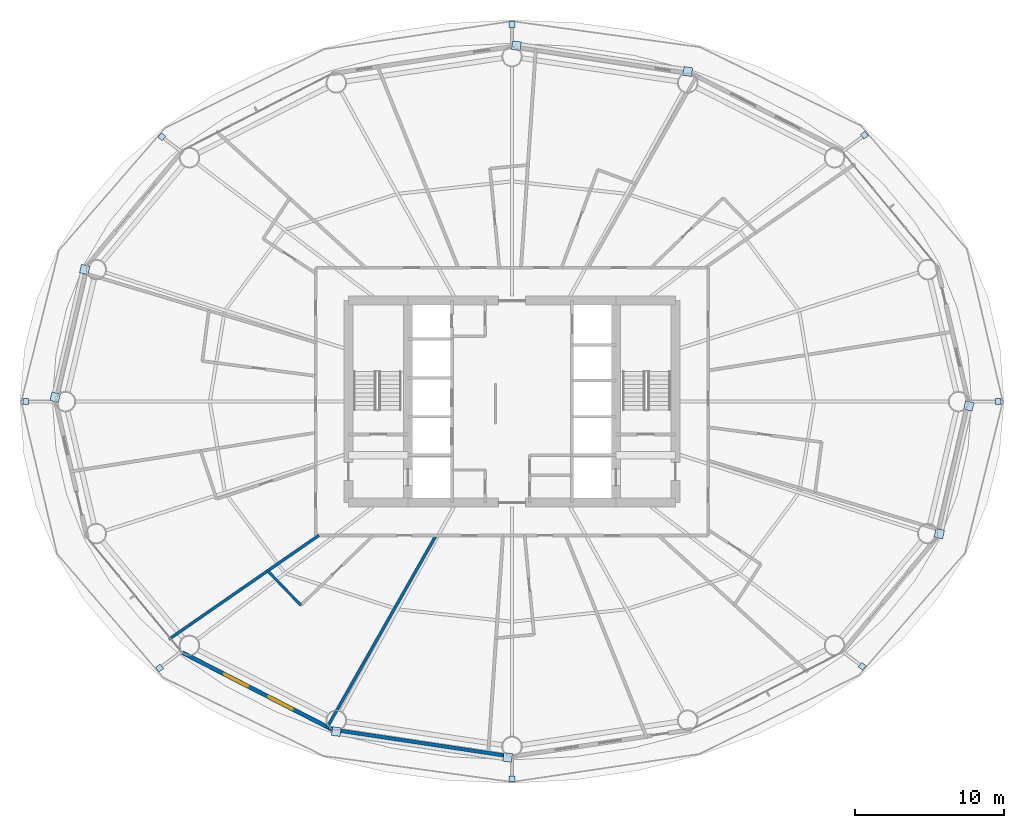
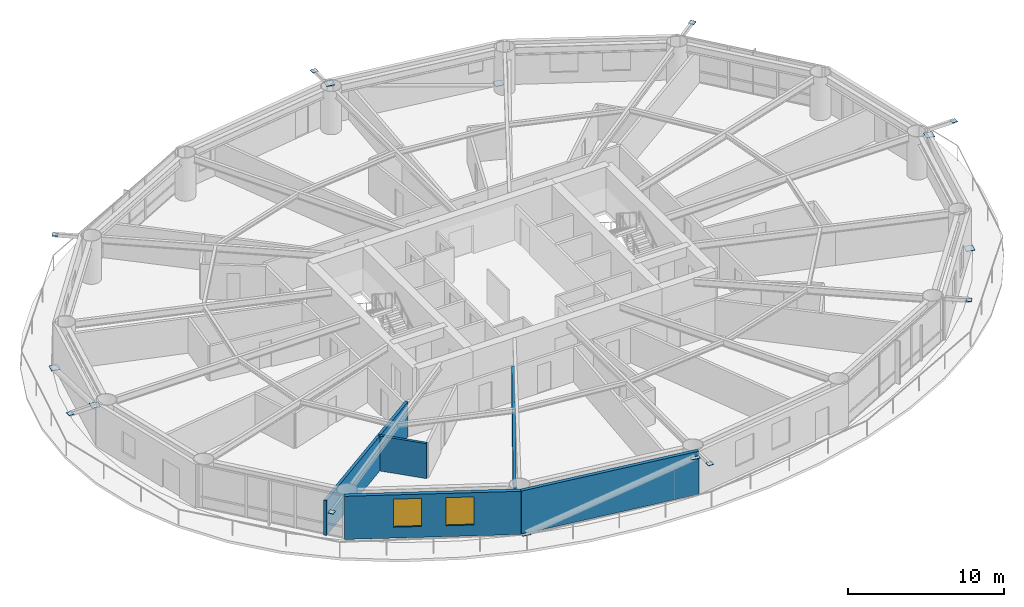
# One storey, part 19 of 26: 16 plates, 5 walls, 2 windows, 2 openings.
"""IFC4 building model written with IfcOpenShell, lengths in metres."""

from ifc_helpers import new_model, si_unit, direction, frame, frame_2d, origin, origin_2d, place, context, subcontext, project, spatial, rectangle, extrude, material, layer, layer_set, type_object, element, fill, save


model = new_model("IFC4")

# Units and contexts
model_context = context("Model", 3, precision=1e-05, world=origin(), true_north=direction((0.0, 1.0)))
body_context = subcontext(model_context, "Body", "Model", "MODEL_VIEW")
ifc_project = project(units=[si_unit("LENGTHUNIT", "METRE"), si_unit("AREAUNIT", "SQUARE_METRE"), si_unit("VOLUMEUNIT", "CUBIC_METRE"), si_unit("PLANEANGLEUNIT", "RADIAN"), si_unit("MASSUNIT", "GRAM", prefix="KILO")], contexts=[model_context])

# Site, building, storey
site_placement = place(None, origin())
site = spatial("IfcSite", under=ifc_project, at=site_placement, CompositionType="ELEMENT")
building_placement = place(site_placement, origin())
building = spatial("IfcBuilding", under=site, at=building_placement, Name="Sarneth Arch Tower", CompositionType="ELEMENT")
storey_placement = place(building_placement, frame((0.0, 0.0, 60.60009765625)))
storey = spatial("IfcBuildingStorey", under=building, at=storey_placement, Name="L14", CompositionType="ELEMENT", Elevation=60.60009765625)

# Plates
ifc_material_1 = material(Name="Steel S355", Category="steel")
ifc_layer_1 = layer(ifc_material_1, 0.035888671875)
ifc_layer_set_1 = layer_set([ifc_layer_1], Name="Steel S355")
plate_type = type_object("IfcPlateType", Name="PLT-GUSSET-30", PredefinedType="SHEET", material=ifc_layer_set_1)
for number, where, z_axis, x_axis, name in (
    (1, (80.71826171875, 42.0, 3.2021484375), (0.0, 0.0, 1.0), (1.0, 0.0, 0.0), "Steel end cap plate GP-1"),
    (2, (71.7060546875, 59.924072265625, 3.2021484375), (0.0, 0.0, 1.0), (0.797689196331, 0.603068773902, 0.0), "Steel end cap plate GP-1"),
):
    element("IfcPlate", number, at=place(storey_placement, frame(where, z_axis=z_axis, x_axis=x_axis)), inside=storey, type_object=plate_type, Name=name, PredefinedType="SHEET", context=body_context, shape_type="SweptSolid", body=[
        extrude(rectangle(XDim=0.3798828125, YDim=0.3798828125, at=origin_2d()), origin(), (0.0, 0.0, 1.0), 0.035888671875),
    ])
for number, where, z_axis, x_axis, name in (
    (3, (59.819580078125, 64.19921875, 0.001953125), (0.0, 0.0, 1.0), (-0.98883454203, 0.149017611339, 0.0), "Steel end cap plate GP-1"),
    (4, (48.296630859375, 65.935302734375, 2.98876953125), (0.0, 0.0, 1.0), (-0.98883454203, 0.149017611339, 0.0), "Steel end cap plate GP-1"),
):
    element("IfcPlate", number, at=place(storey_placement, frame(where, z_axis=z_axis, x_axis=x_axis)), inside=storey, type_object=plate_type, Name=name, PredefinedType="SHEET", context=body_context, shape_type="SweptSolid", body=[
        extrude(rectangle(XDim=0.587890625, YDim=0.587890625, at=origin_2d()), origin(), (0.0, 0.0, 1.0), 0.035888671875),
    ])
for number, where, z_axis, x_axis, name in (
    (5, (48.0, 67.36669921875, 3.2021484375), (0.0, 0.0, 1.0), (0.0, 1.0, 0.0), "Steel end cap plate GP-1"),
    (6, (24.444091796875, 59.810791015625, 3.2021484375), (0.0, 0.0, 1.0), (-0.797689196331, 0.603068773902, 0.0), "Steel end cap plate GP-1"),
):
    element("IfcPlate", number, at=place(storey_placement, frame(where, z_axis=z_axis, x_axis=x_axis)), inside=storey, type_object=plate_type, Name=name, PredefinedType="SHEET", context=body_context, shape_type="SweptSolid", body=[
        extrude(rectangle(XDim=0.3798828125, YDim=0.3798828125, at=origin_2d()), origin(), (0.0, 0.0, 1.0), 0.035888671875),
    ])
for number, where, z_axis, x_axis, name in (
    (7, (19.260986328125, 50.884521484375, 0.001953125), (0.0, 0.0, 1.0), (-0.225291159947, -0.974291482694, 0.0), "Steel end cap plate GP-1"),
    (8, (17.274658203125, 42.292236328125, 2.98876953125), (0.0, 0.0, 1.0), (-0.225291159947, -0.974291482694, 0.0), "Steel end cap plate GP-1"),
):
    element("IfcPlate", number, at=place(storey_placement, frame(where, z_axis=z_axis, x_axis=x_axis)), inside=storey, type_object=plate_type, Name=name, PredefinedType="SHEET", context=body_context, shape_type="SweptSolid", body=[
        extrude(rectangle(XDim=0.587890625, YDim=0.587890625, at=origin_2d()), origin(), (0.0, 0.0, 1.0), 0.035888671875),
    ])
for number, where, z_axis, x_axis, name in (
    (9, (15.28173828125, 42.0, 3.2021484375), (0.0, 0.0, 1.0), (-1.0, 0.0, 0.0), "Steel end cap plate GP-1"),
    (10, (24.2939453125, 24.075927734375, 3.2021484375), (0.0, 0.0, 1.0), (-0.797689196331, -0.603068773902, 0.0), "Steel end cap plate GP-1"),
):
    element("IfcPlate", number, at=place(storey_placement, frame(where, z_axis=z_axis, x_axis=x_axis)), inside=storey, type_object=plate_type, Name=name, PredefinedType="SHEET", context=body_context, shape_type="SweptSolid", body=[
        extrude(rectangle(XDim=0.3798828125, YDim=0.3798828125, at=origin_2d()), origin(), (0.0, 0.0, 1.0), 0.035888671875),
    ])
for number, where, z_axis, x_axis, name in (
    (11, (36.180419921875, 19.80078125, 0.001953125), (0.0, 0.0, 1.0), (0.98883454203, -0.149017611339, 0.0), "Steel end cap plate GP-1"),
    (12, (47.703369140625, 18.064697265625, 2.98876953125), (0.0, 0.0, 1.0), (0.98883454203, -0.149017611339, 0.0), "Steel end cap plate GP-1"),
):
    element("IfcPlate", number, at=place(storey_placement, frame(where, z_axis=z_axis, x_axis=x_axis)), inside=storey, type_object=plate_type, Name=name, PredefinedType="SHEET", context=body_context, shape_type="SweptSolid", body=[
        extrude(rectangle(XDim=0.587890625, YDim=0.587890625, at=origin_2d()), origin(), (0.0, 0.0, 1.0), 0.035888671875),
    ])
for number, where, z_axis, x_axis, name in (
    (13, (48.0, 16.63330078125, 3.2021484375), (0.0, 0.0, 1.0), (0.0, -1.0, 0.0), "Steel end cap plate GP-1"),
    (14, (71.555908203125, 24.189208984375, 3.2021484375), (0.0, 0.0, 1.0), (0.797689196331, -0.603068773902, 0.0), "Steel end cap plate GP-1"),
):
    element("IfcPlate", number, at=place(storey_placement, frame(where, z_axis=z_axis, x_axis=x_axis)), inside=storey, type_object=plate_type, Name=name, PredefinedType="SHEET", context=body_context, shape_type="SweptSolid", body=[
        extrude(rectangle(XDim=0.3798828125, YDim=0.3798828125, at=origin_2d()), origin(), (0.0, 0.0, 1.0), 0.035888671875),
    ])
for number, where, z_axis, x_axis, name in (
    (15, (76.739013671875, 33.115478515625, 0.001953125), (0.0, 0.0, 1.0), (0.225291159947, 0.974291482694, 0.0), "Steel end cap plate GP-1"),
    (16, (78.725341796875, 41.707763671875, 2.98876953125), (0.0, 0.0, 1.0), (0.225291159947, 0.974291482694, 0.0), "Steel end cap plate GP-1"),
):
    element("IfcPlate", number, at=place(storey_placement, frame(where, z_axis=z_axis, x_axis=x_axis)), inside=storey, type_object=plate_type, Name=name, PredefinedType="SHEET", context=body_context, shape_type="SweptSolid", body=[
        extrude(rectangle(XDim=0.587890625, YDim=0.587890625, at=origin_2d()), origin(), (0.0, 0.0, 1.0), 0.035888671875),
    ])

# Wall
ifc_material_2 = material(Name="Extruded terracotta rainscreen on Concrete C40/50 backing", Category="masonry")
ifc_layer_2 = layer(ifc_material_2, 0.25)
ifc_layer_set_2 = layer_set([ifc_layer_2], Name="Extruded terracotta rainscreen on Concrete C40/50 backing")
wall_type_1 = type_object("IfcWallType", Name="WALL-EXT-SPAND-250", PredefinedType="SOLIDWALL", material=ifc_layer_set_2)
wall_1_placement = place(storey_placement, frame((35.922119140625, 19.937744140625, 0.0), z_axis=(0.0, 0.0, 1.0), x_axis=(0.988864835849, -0.148816452121, 0.0)))
element("IfcWall", 17, at=wall_1_placement, inside=storey, type_object=wall_type_1, Name="L14 Terracotta perimeter wall 12", PredefinedType="SOLIDWALL", context=body_context, shape_type="SweptSolid", body=[
    extrude(rectangle(XDim=12.2138671875, YDim=0.25, at=frame_2d((6.10693359375, 0.0))), origin(), (0.0, 0.0, 1.0), 3.3798828125),
])

# Wall, openings, windows
ifc_material_3 = material(Name="Extruded terracotta rainscreen on Concrete C40/50 backing", Category="masonry")
ifc_layer_3 = layer(ifc_material_3, 0.280029296875)
ifc_layer_set_3 = layer_set([ifc_layer_3], Name="Extruded terracotta rainscreen on Concrete C40/50 backing")
wall_type_2 = type_object("IfcWallType", Name="WALL-EXT-TERRA-280", PredefinedType="SOLIDWALL", material=ifc_layer_set_3)
wall_2_placement = place(storey_placement, frame((25.825927734375, 25.1142578125, 0.0), z_axis=(0.0, 0.0, 1.0), x_axis=(0.889853976658, -0.456245438581, 0.0)))
wall_2 = element("IfcWall", 18, at=wall_2_placement, inside=storey, type_object=wall_type_2, Name="L14 Terracotta perimeter wall 11", PredefinedType="SOLIDWALL", context=body_context, shape_type="SweptSolid", body=[
    extrude(rectangle(XDim=11.345947265625, YDim=0.280029296875, at=frame_2d((5.6728515625, 0.0))), origin(), (0.0, 0.0, 1.0), 3.3798828125),
])
opening_1_placement = place(wall_2_placement, frame((3.167236328125, 0.0, 0.85009765625)))
opening_1 = element("IfcOpeningElement", 19, at=opening_1_placement, cuts=wall_2, Name="Opening W-04", PredefinedType="OPENING", context=body_context, shape_type="SweptSolid", body=[
    extrude(rectangle(XDim=1.800048828125, YDim=2.199951171875, at=frame_2d((0.89990234375, 1.10009765625))), frame((0.0, 0.14990234375, 0.0), z_axis=(0.0, -1.0, 0.0), x_axis=(1.0, 0.0, 0.0)), (0.0, 0.0, 1.0), 0.300048828125),
])
opening_2_placement = place(wall_2_placement, frame((6.529052734375, 0.0, 0.85009765625)))
opening_2 = element("IfcOpeningElement", 20, at=opening_2_placement, cuts=wall_2, Name="Opening W-04", PredefinedType="OPENING", context=body_context, shape_type="SweptSolid", body=[
    extrude(rectangle(XDim=1.800048828125, YDim=2.199951171875, at=frame_2d((0.89990234375, 1.10009765625))), frame((0.0, 0.14990234375, 0.0), z_axis=(0.0, -1.0, 0.0), x_axis=(1.0, 0.0, 0.0)), (0.0, 0.0, 1.0), 0.300048828125),
])
ifc_material_4 = material(Name="Thermally broken Aluminium 6063-T6 and low-e laminated IGU", Category="aluminium")
window_type = type_object("IfcWindowType", Name="WIN-TWR-1800x2200", PartitioningType="DOUBLE_PANEL_VERTICAL", PredefinedType="WINDOW", material=ifc_material_4)
window_1_placement = place(opening_1_placement, origin())
window_1 = element("IfcWindow", 21, at=window_1_placement, inside=storey, type_object=window_type, Name="L14 Exterior window 11A", OverallHeight=2.199951171875, OverallWidth=1.800048828125, PartitioningType="SINGLE_PANEL", PredefinedType="WINDOW", context=body_context, shape_type="SweptSolid", body=[
    extrude(rectangle(XDim=1.800048828125, YDim=2.199951171875, at=frame_2d((0.89990234375, 1.10009765625))), frame((0.0, 0.030029296875, 0.0), z_axis=(0.0, -1.0, 0.0), x_axis=(1.0, 0.0, 0.0)), (0.0, 0.0, 1.0), 0.06005859375),
])
fill(opening_1, window_1)
window_2_placement = place(opening_2_placement, origin())
window_2 = element("IfcWindow", 22, at=window_2_placement, inside=storey, type_object=window_type, Name="L14 Exterior window 11B", OverallHeight=2.199951171875, OverallWidth=1.800048828125, PartitioningType="SINGLE_PANEL", PredefinedType="WINDOW", context=body_context, shape_type="SweptSolid", body=[
    extrude(rectangle(XDim=1.800048828125, YDim=2.199951171875, at=frame_2d((0.89990234375, 1.10009765625))), frame((0.0, 0.030029296875, 0.0), z_axis=(0.0, -1.0, 0.0), x_axis=(1.0, 0.0, 0.0)), (0.0, 0.0, 1.0), 0.06005859375),
])
fill(opening_2, window_2)

# Walls
ifc_material_5 = material(Name="Moisture-resistant plumbing chase wall", Category="gypsum")
ifc_layer_4 = layer(ifc_material_5, 0.179931640625)
ifc_layer_set_4 = layer_set([ifc_layer_4], Name="Moisture-resistant plumbing chase wall")
wall_type_3 = type_object("IfcWallType", Name="WALL-PLUMB-180", PredefinedType="PLUMBINGWALL", material=ifc_layer_set_4)
wall_3_placement = place(storey_placement, frame((31.56494140625, 30.61376953125, 0.0), z_axis=(0.0, 0.0, 1.0), x_axis=(0.694278833189, -0.719706121821, 0.0)))
element("IfcWall", 23, at=wall_3_placement, inside=storey, type_object=wall_type_3, Name="L14 Interior partition W-L14-TP-057", PredefinedType="PLUMBINGWALL", context=body_context, shape_type="SweptSolid", body=[
    extrude(rectangle(XDim=3.216552734375, YDim=0.179931640625, at=frame_2d((1.6083984375, 0.0))), origin(), (0.0, 0.0, 1.0), 2.739990234375),
])
ifc_material_6 = material(Name="Double steel-stud acoustic drywall", Category="steel")
ifc_layer_5 = layer(ifc_material_6, 0.199951171875)
ifc_layer_set_5 = layer_set([ifc_layer_5], Name="Double steel-stud acoustic drywall")
wall_type_4 = type_object("IfcWallType", Name="WALL-UNIT-200", PredefinedType="PARTITIONING", material=ifc_layer_set_5)
wall_4_placement = place(storey_placement, frame((42.893310546875, 33.0, 0.0), z_axis=(0.0, 0.0, 1.0), x_axis=(-0.493512300658, -0.869738816599, 0.0)))
element("IfcWall", 24, at=wall_4_placement, inside=storey, type_object=wall_type_4, Name="L14 Interior partition W-L14-TP-059", PredefinedType="PARTITIONING", context=body_context, shape_type="SweptSolid", body=[
    extrude(rectangle(XDim=14.9375, YDim=0.199951171875, at=frame_2d((7.46875, 0.0))), origin(), (0.0, 0.0, 1.0), 2.739990234375),
])
wall_5_placement = place(storey_placement, frame((35.00927734375, 33.0, 0.0), z_axis=(0.0, 0.0, 1.0), x_axis=(-0.821999402566, -0.569488351226, 0.0)))
element("IfcWall", 25, at=wall_5_placement, inside=storey, type_object=wall_type_4, Name="L14 Interior partition W-L14-TP-055", PredefinedType="PARTITIONING", context=body_context, shape_type="SweptSolid", body=[
    extrude(rectangle(XDim=12.266357421875, YDim=0.199951171875, at=frame_2d((6.13330078125, 0.0))), origin(), (0.0, 0.0, 1.0), 2.739990234375),
])

save(model, "model.ifc")
